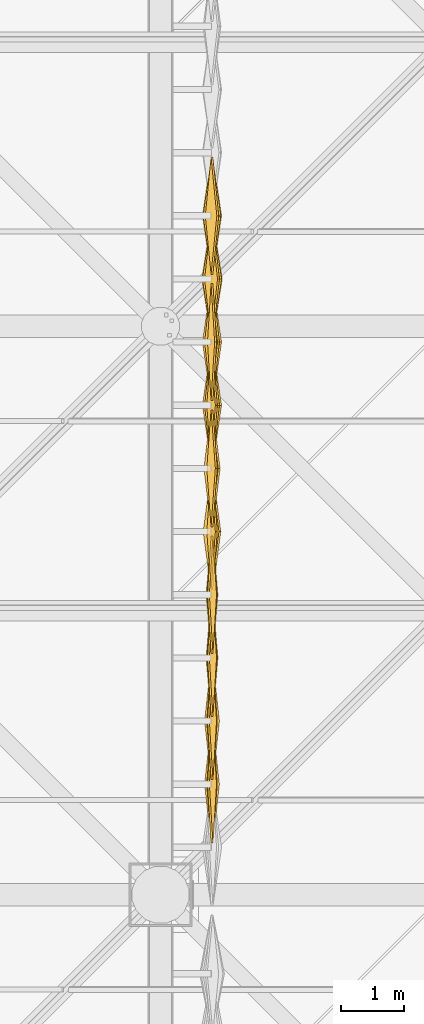
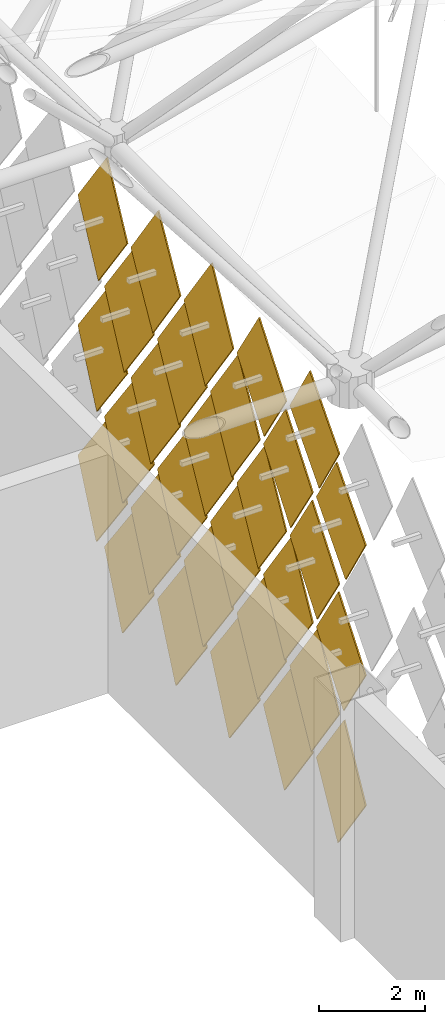
# One storey, part 418 of 437: 30 coverings.
"""IFC4 building model written with IfcOpenShell, lengths in metres."""

from ifc_helpers import new_model, si_unit, direction, frame, origin, place, context, subcontext, project, spatial, polyline, outline, extrude, material, material_profile, profile_set, type_object, element, save


model = new_model("IFC4")

# Units and contexts
model_context = context("Model", 3, precision=1e-05, world=origin(), true_north=direction((0.0, 1.0)))
body_context = subcontext(model_context, "Body", "Model", "MODEL_VIEW")
ifc_project = project(units=[si_unit("LENGTHUNIT", "METRE"), si_unit("AREAUNIT", "SQUARE_METRE"), si_unit("VOLUMEUNIT", "CUBIC_METRE"), si_unit("PLANEANGLEUNIT", "RADIAN"), si_unit("MASSUNIT", "GRAM", prefix="KILO")], contexts=[model_context])

# Site, building, storey
site_placement = place(None, origin())
site = spatial("IfcSite", under=ifc_project, at=site_placement, CompositionType="ELEMENT")
building_placement = place(site_placement, origin())
building = spatial("IfcBuilding", under=site, at=building_placement, Name="Opaline Strait Convention Centre", CompositionType="ELEMENT")
storey_placement = place(building_placement, frame((0.0, 0.0, 11.5)))
storey = spatial("IfcBuildingStorey", under=building, at=storey_placement, Name="L02", CompositionType="ELEMENT", Elevation=11.5)

# Coverings
ifc_material = material(Name="White ceramic-faced aluminium tile", Category="aluminium")
ifc_material_profile_1 = material_profile(ifc_material, outline(polyline([(0.927978515625, 0.0), (0.0, 1.39208984375), (-0.927978515625, 0.0), (0.0, -1.39208984375), (0.927978515625, 0.0)])), Name="Diamond tile 1856x2784")
ifc_profile_set_1 = profile_set([ifc_material_profile_1], Name="White ceramic-faced aluminium tile")
covering_type_1 = type_object("IfcCoveringType", Name="Diamond wall tile 1856x2784x30 pivot 2 deg", PredefinedType="CLADDING", material=ifc_profile_set_1)
covering_1_placement = place(storey_placement, frame((261.800048828125, 134.75, 9.39208984375), z_axis=(0.999174794796, 0.0, -0.040616861577), x_axis=(0.0, 1.0, 0.0)))
element("IfcCovering", 1, at=covering_1_placement, inside=storey, type_object=covering_type_1, Name="Wall tile XT04 E", PredefinedType="CLADDING", context=body_context, shape_type="SweptSolid", body=[
    extrude(outline(polyline([(0.927978515625, 0.0), (0.0, 1.39208984375), (-0.927978515625, 0.0), (0.0, -1.39208984375), (0.927978515625, 0.0)])), origin(), (0.0, 0.0, 1.0), 0.030029296875),
])
ifc_material_profile_2 = material_profile(ifc_material, outline(polyline([(0.927978515625, 0.0), (0.0, 1.39208984375), (-0.927978515625, 0.0), (0.0, -1.39208984375), (0.927978515625, 0.0)])), Name="Diamond tile 1856x2784")
ifc_profile_set_2 = profile_set([ifc_material_profile_2], Name="White ceramic-faced aluminium tile")
covering_type_2 = type_object("IfcCoveringType", Name="Diamond wall tile 1856x2784x30 pivot 2.5 deg", PredefinedType="CLADDING", material=ifc_profile_set_2)
for number, where, z_axis, x_axis, name in (
    (2, (261.800048828125, 127.75, 1.89208984375), (0.998812351125, 0.0, -0.048722553713), (0.0, 1.0, 0.0), "Wall tile XT05 E"),
    (3, (261.800048828125, 128.75, 3.39208984375), (0.998812351125, 0.0, -0.048722553713), (0.0, 1.0, 0.0), "Wall tile XT05 E"),
    (4, (261.800048828125, 127.75, 4.89208984375), (0.999174794796, 0.0, 0.040616861577), (0.0, 1.0, 0.0), "Wall tile XT05 E"),
    (5, (261.800048828125, 129.75, 4.89208984375), (0.998812351125, 0.0, -0.048722553713), (0.0, 1.0, 0.0), "Wall tile XT05 E"),
    (6, (261.800048828125, 131.75, 4.89208984375), (0.998812351125, 0.0, -0.048722553713), (0.0, 1.0, 0.0), "Wall tile XT05 E"),
    (7, (261.800048828125, 128.75, 6.39208984375), (0.999174794796, 0.0, 0.040616861577), (0.0, 1.0, 0.0), "Wall tile XT05 E"),
    (8, (261.800048828125, 130.75, 6.39208984375), (0.998812351125, 0.0, -0.048722553713), (0.0, 1.0, 0.0), "Wall tile XT05 E"),
    (9, (261.800048828125, 132.75, 6.39208984375), (0.998812351125, 0.0, -0.048722553713), (0.0, 1.0, 0.0), "Wall tile XT05 E"),
    (10, (261.800048828125, 129.75, 7.89208984375), (0.999174794796, 0.0, 0.040616861577), (0.0, 1.0, 0.0), "Wall tile XT05 E"),
    (11, (261.800048828125, 131.75, 7.89208984375), (0.998812351125, 0.0, -0.048722553713), (0.0, 1.0, 0.0), "Wall tile XT05 E"),
    (12, (261.800048828125, 133.75, 7.89208984375), (0.998812351125, 0.0, -0.048722553713), (0.0, 1.0, 0.0), "Wall tile XT05 E"),
    (13, (261.800048828125, 130.75, 9.39208984375), (0.999174794796, 0.0, 0.040616861577), (0.0, 1.0, 0.0), "Wall tile XT05 E"),
    (14, (261.800048828125, 132.75, 9.39208984375), (0.998812351125, 0.0, -0.048722553713), (0.0, 1.0, 0.0), "Wall tile XT05 E"),
):
    element("IfcCovering", number, at=place(storey_placement, frame(where, z_axis=z_axis, x_axis=x_axis)), inside=storey, type_object=covering_type_2, Name=name, PredefinedType="CLADDING", context=body_context, shape_type="SweptSolid", body=[
        extrude(outline(polyline([(0.927978515625, 0.0), (0.0, 1.39208984375), (-0.927978515625, 0.0), (0.0, -1.39208984375), (0.927978515625, 0.0)])), origin(), (0.0, 0.0, 1.0), 0.030029296875),
    ])
ifc_material_profile_3 = material_profile(ifc_material, outline(polyline([(0.927978515625, 0.0), (0.0, 1.39208984375), (-0.927978515625, 0.0), (0.0, -1.39208984375), (0.927978515625, 0.0)])), Name="Diamond tile 1856x2784")
ifc_profile_set_3 = profile_set([ifc_material_profile_3], Name="White ceramic-faced aluminium tile")
covering_type_3 = type_object("IfcCoveringType", Name="Diamond wall tile 1856x2784x30 pivot 3 deg", PredefinedType="CLADDING", material=ifc_profile_set_3)
for number, where, z_axis, x_axis, name in (
    (15, (261.800048828125, 129.75, 1.89208984375), (0.998384516691, 0.0, -0.056818631031), (0.0, 1.0, 0.0), "Wall tile XT06 E"),
    (16, (261.800048828125, 130.75, 3.39208984375), (0.998384516691, 0.0, -0.056818631031), (0.0, 1.0, 0.0), "Wall tile XT06 E"),
):
    element("IfcCovering", number, at=place(storey_placement, frame(where, z_axis=z_axis, x_axis=x_axis)), inside=storey, type_object=covering_type_3, Name=name, PredefinedType="CLADDING", context=body_context, shape_type="SweptSolid", body=[
        extrude(outline(polyline([(0.927978515625, 0.0), (0.0, 1.39208984375), (-0.927978515625, 0.0), (0.0, -1.39208984375), (0.927978515625, 0.0)])), origin(), (0.0, 0.0, 1.0), 0.030029296875),
    ])
ifc_material_profile_4 = material_profile(ifc_material, outline(polyline([(0.927978515625, 0.0), (0.0, 1.39208984375), (-0.927978515625, 0.0), (0.0, -1.39208984375), (0.927978515625, 0.0)])), Name="Diamond tile 1856x2784")
ifc_profile_set_4 = profile_set([ifc_material_profile_4], Name="White ceramic-faced aluminium tile")
covering_type_4 = type_object("IfcCoveringType", Name="Diamond wall tile 1856x2784x30 pivot 3.5 deg", PredefinedType="CLADDING", material=ifc_profile_set_4)
covering_2_placement = place(storey_placement, frame((261.800048828125, 136.75, 9.39208984375), z_axis=(0.99785694905, 0.0, -0.065433242561), x_axis=(0.0, 1.0, 0.0)))
element("IfcCovering", 17, at=covering_2_placement, inside=storey, type_object=covering_type_4, Name="Wall tile XT07 E", PredefinedType="CLADDING", context=body_context, shape_type="SweptSolid", body=[
    extrude(outline(polyline([(0.927978515625, 0.0), (0.0, 1.39208984375), (-0.927978515625, 0.0), (0.0, -1.39208984375), (0.927978515625, 0.0)])), origin(), (0.0, 0.0, 1.0), 0.02978515625),
])
ifc_material_profile_5 = material_profile(ifc_material, outline(polyline([(0.927978515625, 0.0), (0.0, 1.39208984375), (-0.927978515625, 0.0), (0.0, -1.39208984375), (0.927978515625, 0.0)])), Name="Diamond tile 1856x2784")
ifc_profile_set_5 = profile_set([ifc_material_profile_5], Name="White ceramic-faced aluminium tile")
covering_type_5 = type_object("IfcCoveringType", Name="Diamond wall tile 1856x2784x30 pivot 4 deg", PredefinedType="CLADDING", material=ifc_profile_set_5)
for number, where, z_axis, x_axis, name in (
    (18, (261.800048828125, 133.75, 4.89208984375), (0.997290013252, 0.0, -0.073570574748), (0.0, 1.0, 0.0), "Wall tile XT08 E"),
    (19, (261.800048828125, 134.75, 6.39208984375), (0.997290013252, 0.0, -0.073570574748), (0.0, 1.0, 0.0), "Wall tile XT08 E"),
    (20, (261.800048828125, 135.75, 7.89208984375), (0.997290013252, 0.0, -0.073570574748), (0.0, 1.0, 0.0), "Wall tile XT08 E"),
):
    element("IfcCovering", number, at=place(storey_placement, frame(where, z_axis=z_axis, x_axis=x_axis)), inside=storey, type_object=covering_type_5, Name=name, PredefinedType="CLADDING", context=body_context, shape_type="SweptSolid", body=[
        extrude(outline(polyline([(0.927978515625, 0.0), (0.0, 1.39208984375), (-0.927978515625, 0.0), (0.0, -1.39208984375), (0.927978515625, 0.0)])), origin(), (0.0, 0.0, 1.0), 0.02978515625),
    ])
ifc_material_profile_6 = material_profile(ifc_material, outline(polyline([(0.927978515625, 0.0), (0.0, 1.39208984375), (-0.927978515625, 0.0), (0.0, -1.39208984375), (0.927978515625, 0.0)])), Name="Diamond tile 1856x2784")
ifc_profile_set_6 = profile_set([ifc_material_profile_6], Name="White ceramic-faced aluminium tile")
covering_type_6 = type_object("IfcCoveringType", Name="Diamond wall tile 1856x2784x30 pivot 4.5 deg", PredefinedType="CLADDING", material=ifc_profile_set_6)
for number, where, z_axis, x_axis, name in (
    (21, (261.800048828125, 132.75, 3.39208984375), (0.996657521232, 0.0, -0.081693239445), (0.0, 1.0, 0.0), "Wall tile XT09 E"),
    (22, (261.800048828125, 127.75, 7.89208984375), (0.997290013252, 0.0, 0.073570574748), (0.0, 1.0, 0.0), "Wall tile XT09 E"),
    (23, (261.800048828125, 128.75, 9.39208984375), (0.997290013252, 0.0, 0.073570574748), (0.0, 1.0, 0.0), "Wall tile XT09 E"),
):
    element("IfcCovering", number, at=place(storey_placement, frame(where, z_axis=z_axis, x_axis=x_axis)), inside=storey, type_object=covering_type_6, Name=name, PredefinedType="CLADDING", context=body_context, shape_type="SweptSolid", body=[
        extrude(outline(polyline([(0.927978515625, 0.0), (0.0, 1.39208984375), (-0.927978515625, 0.0), (0.0, -1.39208984375), (0.927978515625, 0.0)])), origin(), (0.0, 0.0, 1.0), 0.02978515625),
    ])
ifc_material_profile_7 = material_profile(ifc_material, outline(polyline([(0.927978515625, 0.0), (0.0, 1.39208984375), (-0.927978515625, 0.0), (0.0, -1.39208984375), (0.927978515625, 0.0)])), Name="Diamond tile 1856x2784")
ifc_profile_set_7 = profile_set([ifc_material_profile_7], Name="White ceramic-faced aluminium tile")
covering_type_7 = type_object("IfcCoveringType", Name="Diamond wall tile 1856x2784x30 pivot 5 deg", PredefinedType="CLADDING", material=ifc_profile_set_7)
for number, where, z_axis, x_axis, name in (
    (24, (261.800048828125, 131.75, 1.89208984375), (0.995959849254, 0.0, -0.089799658539), (0.0, 1.0, 0.0), "Wall tile XT10 E"),
    (25, (261.800048828125, 136.75, 6.39208984375), (0.995959849254, 0.0, -0.089799658539), (0.0, 1.0, 0.0), "Wall tile XT10 E"),
):
    element("IfcCovering", number, at=place(storey_placement, frame(where, z_axis=z_axis, x_axis=x_axis)), inside=storey, type_object=covering_type_7, Name=name, PredefinedType="CLADDING", context=body_context, shape_type="SweptSolid", body=[
        extrude(outline(polyline([(0.927978515625, 0.0), (0.0, 1.39208984375), (-0.927978515625, 0.0), (0.0, -1.39208984375), (0.927978515625, 0.0)])), origin(), (0.0, 0.0, 1.0), 0.02978515625),
    ])
ifc_material_profile_8 = material_profile(ifc_material, outline(polyline([(0.927978515625, 0.0), (0.0, 1.39208984375), (-0.927978515625, 0.0), (0.0, -1.39208984375), (0.927978515625, 0.0)])), Name="Diamond tile 1856x2784")
ifc_profile_set_8 = profile_set([ifc_material_profile_8], Name="White ceramic-faced aluminium tile")
covering_type_8 = type_object("IfcCoveringType", Name="Diamond wall tile 1856x2784x30 pivot 5.5 deg", PredefinedType="CLADDING", material=ifc_profile_set_8)
for number, where, z_axis, x_axis, name in (
    (26, (261.800048828125, 133.75, 1.89208984375), (0.995197410875, 0.0, -0.097888269922), (0.0, 1.0, 0.0), "Wall tile XT11 E"),
    (27, (261.800048828125, 134.75, 3.39208984375), (0.995197410875, 0.0, -0.097888269922), (0.0, 1.0, 0.0), "Wall tile XT11 E"),
    (28, (261.800048828125, 136.75, 3.39208984375), (0.995197410875, 0.0, -0.097888269922), (0.0, 1.0, 0.0), "Wall tile XT11 E"),
    (29, (261.800048828125, 135.75, 4.89208984375), (0.995197410875, 0.0, -0.097888269922), (0.0, 1.0, 0.0), "Wall tile XT11 E"),
):
    element("IfcCovering", number, at=place(storey_placement, frame(where, z_axis=z_axis, x_axis=x_axis)), inside=storey, type_object=covering_type_8, Name=name, PredefinedType="CLADDING", context=body_context, shape_type="SweptSolid", body=[
        extrude(outline(polyline([(0.927978515625, 0.0), (0.0, 1.39208984375), (-0.927978515625, 0.0), (0.0, -1.39208984375), (0.927978515625, 0.0)])), origin(), (0.0, 0.0, 1.0), 0.030029296875),
    ])
ifc_material_profile_9 = material_profile(ifc_material, outline(polyline([(0.927978515625, 0.0), (0.0, 1.39208984375), (-0.927978515625, 0.0), (0.0, -1.39208984375), (0.927978515625, 0.0)])), Name="Diamond tile 1856x2784")
ifc_profile_set_9 = profile_set([ifc_material_profile_9], Name="White ceramic-faced aluminium tile")
covering_type_9 = type_object("IfcCoveringType", Name="Diamond wall tile 1856x2784x30 pivot 6 deg", PredefinedType="CLADDING", material=ifc_profile_set_9)
covering_3_placement = place(storey_placement, frame((261.800048828125, 135.75, 1.89208984375), z_axis=(0.994370656274, 0.0, -0.105957528947), x_axis=(0.0, 1.0, 0.0)))
element("IfcCovering", 30, at=covering_3_placement, inside=storey, type_object=covering_type_9, Name="Wall tile XT12 E", PredefinedType="CLADDING", context=body_context, shape_type="SweptSolid", body=[
    extrude(outline(polyline([(0.927978515625, 0.0), (0.0, 1.39208984375), (-0.927978515625, 0.0), (0.0, -1.39208984375), (0.927978515625, 0.0)])), origin(), (0.0, 0.0, 1.0), 0.030029296875),
])

save(model, "model.ifc")
